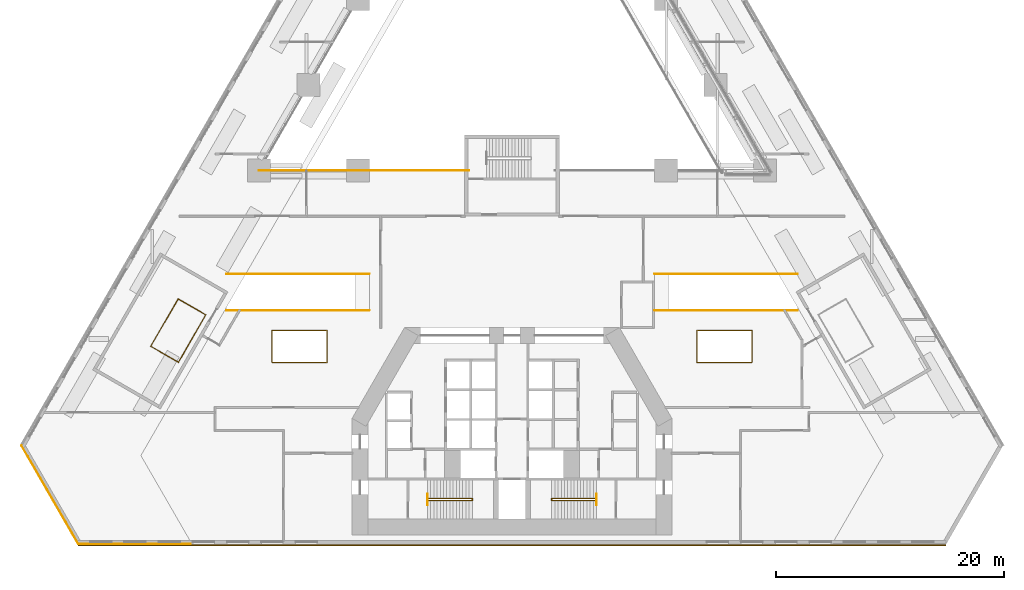
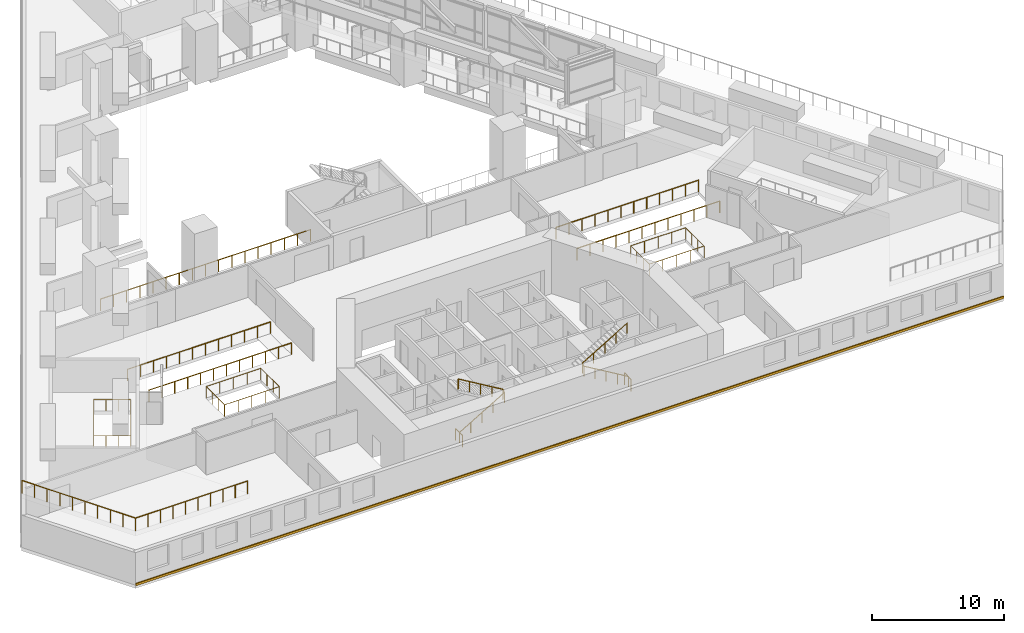
# One storey, part 16 of 19: 13 railings, 1 covering.
"""IFC4 building model written with IfcOpenShell, lengths in metres."""

from ifc_helpers import new_model, si_unit, direction, frame, origin, origin_2d, place, context, subcontext, project, spatial, polyline, circle, outline, extrude, material, type_object, element, save


model = new_model("IFC4")

# Units and contexts
model_context = context("Model", 3, precision=1e-05, world=origin(), true_north=direction((0.0, 1.0)))
body_context = subcontext(model_context, "Body", "Model", "MODEL_VIEW")
ifc_project = project(units=[si_unit("LENGTHUNIT", "METRE"), si_unit("AREAUNIT", "SQUARE_METRE"), si_unit("VOLUMEUNIT", "CUBIC_METRE"), si_unit("PLANEANGLEUNIT", "RADIAN"), si_unit("MASSUNIT", "GRAM", prefix="KILO")], contexts=[model_context])

# Site, building, storey
site_placement = place(None, origin())
site = spatial("IfcSite", under=ifc_project, at=site_placement, CompositionType="ELEMENT")
building_placement = place(site_placement, origin())
building = spatial("IfcBuilding", under=site, at=building_placement, Name="Fogline Exchange Tower", CompositionType="ELEMENT")
storey_placement = place(building_placement, frame((0.0, 0.0, 20.0)))
storey = spatial("IfcBuildingStorey", under=building, at=storey_placement, Name="L03", CompositionType="ELEMENT", Elevation=20.0)

# Railings
ifc_material_1 = material(Name="Stainless steel 304", Category="steel")
railing_type_1 = type_object("IfcRailingType", Name="G1", PredefinedType="GUARDRAIL", material=ifc_material_1)
railing_1_placement = place(storey_placement, frame((-28.144287109375, 0.050048828125, 5.0)))
element("IfcRailing", 1, at=railing_1_placement, inside=storey, type_object=railing_type_1, Name="Guard L04 terrace", PredefinedType="GUARDRAIL", context=body_context, shape_type="SweptSolid", body=[
    extrude(circle(Radius=0.02392578125, at=origin_2d()), frame((0.0, 0.0, 1.17578125), z_axis=(-1.0, 0.0, 0.0), x_axis=(0.0, -1.0, 0.0)), (0.0, 0.0, 1.0), 9.826904296875),
    extrude(circle(Radius=0.02392578125, at=origin_2d()), frame((-9.826904296875, 0.0, 1.17578125), z_axis=(-0.500000197173, 0.866025289947, 0.0), x_axis=(-0.866025289947, -0.500000197173, 0.0)), (0.0, 0.0, 1.0), 9.9423828125),
    extrude(circle(Radius=0.02099609375, at=origin_2d()), origin(), (0.0, 0.0, 1.0), 1.15185546875),
    extrude(circle(Radius=0.02099609375, at=origin_2d()), frame((-1.091796875, 0.0, 0.0)), (0.0, 0.0, 1.0), 1.15185546875),
    extrude(circle(Radius=0.02099609375, at=origin_2d()), frame((-2.183837890625, 0.0, 0.0)), (0.0, 0.0, 1.0), 1.15185546875),
    extrude(circle(Radius=0.02099609375, at=origin_2d()), frame((-3.275634765625, 0.0, 0.0)), (0.0, 0.0, 1.0), 1.15185546875),
    extrude(circle(Radius=0.02099609375, at=origin_2d()), frame((-4.367431640625, 0.0, 0.0)), (0.0, 0.0, 1.0), 1.15185546875),
    extrude(circle(Radius=0.02099609375, at=origin_2d()), frame((-5.45947265625, 0.0, 0.0)), (0.0, 0.0, 1.0), 1.15185546875),
    extrude(circle(Radius=0.02099609375, at=origin_2d()), frame((-6.55126953125, 0.0, 0.0)), (0.0, 0.0, 1.0), 1.15185546875),
    extrude(circle(Radius=0.02099609375, at=origin_2d()), frame((-7.64306640625, 0.0, 0.0)), (0.0, 0.0, 1.0), 1.15185546875),
    extrude(circle(Radius=0.02099609375, at=origin_2d()), frame((-8.735107421875, 0.0, 0.0)), (0.0, 0.0, 1.0), 1.15185546875),
    extrude(circle(Radius=0.02099609375, at=origin_2d()), frame((-9.826904296875, 0.0, 0.0)), (0.0, 0.0, 1.0), 1.15185546875),
    extrude(circle(Radius=0.02099609375, at=origin_2d()), frame((-10.379150390625, 0.956787109375, 0.0)), (0.0, 0.0, 1.0), 1.15185546875),
    extrude(circle(Radius=0.02099609375, at=origin_2d()), frame((-10.931640625, 1.913330078125, 0.0)), (0.0, 0.0, 1.0), 1.15185546875),
    extrude(circle(Radius=0.02099609375, at=origin_2d()), frame((-11.48388671875, 2.8701171875, 0.0)), (0.0, 0.0, 1.0), 1.15185546875),
    extrude(circle(Radius=0.02099609375, at=origin_2d()), frame((-12.036376953125, 3.826904296875, 0.0)), (0.0, 0.0, 1.0), 1.15185546875),
    extrude(circle(Radius=0.02099609375, at=origin_2d()), frame((-12.588623046875, 4.783447265625, 0.0)), (0.0, 0.0, 1.0), 1.15185546875),
    extrude(circle(Radius=0.02099609375, at=origin_2d()), frame((-13.14111328125, 5.740234375, 0.0)), (0.0, 0.0, 1.0), 1.15185546875),
    extrude(circle(Radius=0.02099609375, at=origin_2d()), frame((-13.693359375, 6.697021484375, 0.0)), (0.0, 0.0, 1.0), 1.15185546875),
    extrude(circle(Radius=0.02099609375, at=origin_2d()), frame((-14.245849609375, 7.653564453125, 0.0)), (0.0, 0.0, 1.0), 1.15185546875),
    extrude(circle(Radius=0.02099609375, at=origin_2d()), frame((-14.798095703125, 8.6103515625, 0.0)), (0.0, 0.0, 1.0), 1.15185546875),
])
ifc_material_2 = material(Name="Steel Q235B", Category="steel")
railing_type_2 = type_object("IfcRailingType", Name="PG1", PredefinedType="GUARDRAIL", material=ifc_material_2)
railing_2_placement = place(storey_placement, frame((-29.2392578125, 21.515380859375, 0.0)))
element("IfcRailing", 2, at=railing_2_placement, inside=storey, type_object=railing_type_2, Name="Stair well guard ST4", PredefinedType="GUARDRAIL", context=body_context, shape_type="SweptSolid", body=[
    extrude(circle(Radius=0.02392578125, at=origin_2d()), frame((0.0, 0.0, 1.076171875), z_axis=(0.866034573852, -0.49998411664, 0.0), x_axis=(0.49998411664, 0.866034573852, 0.0)), (0.0, 0.0, 1.0), 2.7998046875),
    extrude(circle(Radius=0.02392578125, at=origin_2d()), frame((2.4248046875, -1.39990234375, 1.076171875), z_axis=(-0.499980858223, -0.866036455013, 0.0), x_axis=(0.866036455013, -0.499980858223, 0.0)), (0.0, 0.0, 1.0), 4.798095703125),
    extrude(circle(Radius=0.02392578125, at=origin_2d()), frame((0.02587890625, -5.55517578125, 1.076171875), z_axis=(-0.866034573852, 0.49998411664, 0.0), x_axis=(-0.49998411664, -0.866034573852, 0.0)), (0.0, 0.0, 1.0), 2.7998046875),
    extrude(circle(Radius=0.02392578125, at=origin_2d()), frame((-2.39892578125, -4.1552734375, 1.076171875), z_axis=(0.50087177907, 0.865521496516, 0.0), x_axis=(-0.865521496516, 0.50087177907, 0.0)), (0.0, 0.0, 1.0), 4.7978515625),
    extrude(circle(Radius=0.02099609375, at=origin_2d()), origin(), (0.0, 0.0, 1.0), 1.052001953125),
    extrude(circle(Radius=0.02099609375, at=origin_2d()), frame((0.808349609375, -0.466552734375, 0.0)), (0.0, 0.0, 1.0), 1.052001953125),
    extrude(circle(Radius=0.02099609375, at=origin_2d()), frame((1.616455078125, -0.933349609375, 0.0)), (0.0, 0.0, 1.0), 1.052001953125),
    extrude(circle(Radius=0.02099609375, at=origin_2d()), frame((2.4248046875, -1.39990234375, 0.0)), (0.0, 0.0, 1.0), 1.052001953125),
    extrude(circle(Radius=0.02099609375, at=origin_2d()), frame((1.8251953125, -2.438720703125, 0.0)), (0.0, 0.0, 1.0), 1.052001953125),
    extrude(circle(Radius=0.02099609375, at=origin_2d()), frame((1.225341796875, -3.4775390625, 0.0)), (0.0, 0.0, 1.0), 1.052001953125),
    extrude(circle(Radius=0.02099609375, at=origin_2d()), frame((0.62548828125, -4.516357421875, 0.0)), (0.0, 0.0, 1.0), 1.052001953125),
    extrude(circle(Radius=0.02099609375, at=origin_2d()), frame((0.02587890625, -5.55517578125, 0.0)), (0.0, 0.0, 1.0), 1.052001953125),
    extrude(circle(Radius=0.02099609375, at=origin_2d()), frame((-0.782470703125, -5.088623046875, 0.0)), (0.0, 0.0, 1.0), 1.052001953125),
    extrude(circle(Radius=0.02099609375, at=origin_2d()), frame((-1.590576171875, -4.621826171875, 0.0)), (0.0, 0.0, 1.0), 1.052001953125),
    extrude(circle(Radius=0.02099609375, at=origin_2d()), frame((-2.39892578125, -4.1552734375, 0.0)), (0.0, 0.0, 1.0), 1.052001953125),
    extrude(circle(Radius=0.02099609375, at=origin_2d()), frame((-1.798095703125, -3.1171875, 0.0)), (0.0, 0.0, 1.0), 1.052001953125),
    extrude(circle(Radius=0.02099609375, at=origin_2d()), frame((-1.197265625, -2.0791015625, 0.0)), (0.0, 0.0, 1.0), 1.052001953125),
    extrude(circle(Radius=0.02099609375, at=origin_2d()), frame((-0.5966796875, -1.040771484375, 0.0)), (0.0, 0.0, 1.0), 1.052001953125),
    extrude(circle(Radius=0.02099609375, at=origin_2d()), frame((0.004150390625, -0.002685546875, 0.0)), (0.0, 0.0, 1.0), 1.052001953125),
])
railing_3_placement = place(storey_placement, frame((-16.199951171875, 18.75, 0.0)))
element("IfcRailing", 3, at=railing_3_placement, inside=storey, type_object=railing_type_2, Name="Stair well guard PS1", PredefinedType="GUARDRAIL", context=body_context, shape_type="SweptSolid", body=[
    extrude(circle(Radius=0.02392578125, at=origin_2d()), frame((0.0, 0.0, 1.076171875), z_axis=(0.0, -1.0, 0.0), x_axis=(1.0, 0.0, 0.0)), (0.0, 0.0, 1.0), 2.800048828125),
    extrude(circle(Radius=0.02392578125, at=origin_2d()), frame((0.0, -2.800048828125, 1.076171875), z_axis=(-1.0, 0.0, 0.0), x_axis=(0.0, -1.0, 0.0)), (0.0, 0.0, 1.0), 4.798095703125),
    extrude(circle(Radius=0.02392578125, at=origin_2d()), frame((-4.798095703125, -2.800048828125, 1.076171875), z_axis=(0.0, 1.0, 0.0), x_axis=(-1.0, 0.0, 0.0)), (0.0, 0.0, 1.0), 2.800048828125),
    extrude(circle(Radius=0.02392578125, at=origin_2d()), frame((-4.798095703125, 0.0, 1.076171875), z_axis=(0.999999482188, -0.001017655811, 0.0), x_axis=(0.001017655811, 0.999999482188, 0.0)), (0.0, 0.0, 1.0), 4.798095703125),
    extrude(circle(Radius=0.02099609375, at=origin_2d()), origin(), (0.0, 0.0, 1.0), 1.052001953125),
    extrude(circle(Radius=0.02099609375, at=origin_2d()), frame((0.0, -0.933349609375, 0.0)), (0.0, 0.0, 1.0), 1.052001953125),
    extrude(circle(Radius=0.02099609375, at=origin_2d()), frame((0.0, -1.86669921875, 0.0)), (0.0, 0.0, 1.0), 1.052001953125),
    extrude(circle(Radius=0.02099609375, at=origin_2d()), frame((0.0, -2.800048828125, 0.0)), (0.0, 0.0, 1.0), 1.052001953125),
    extrude(circle(Radius=0.02099609375, at=origin_2d()), frame((-1.199462890625, -2.800048828125, 0.0)), (0.0, 0.0, 1.0), 1.052001953125),
    extrude(circle(Radius=0.02099609375, at=origin_2d()), frame((-2.39892578125, -2.800048828125, 0.0)), (0.0, 0.0, 1.0), 1.052001953125),
    extrude(circle(Radius=0.02099609375, at=origin_2d()), frame((-3.5986328125, -2.800048828125, 0.0)), (0.0, 0.0, 1.0), 1.052001953125),
    extrude(circle(Radius=0.02099609375, at=origin_2d()), frame((-4.798095703125, -2.800048828125, 0.0)), (0.0, 0.0, 1.0), 1.052001953125),
    extrude(circle(Radius=0.02099609375, at=origin_2d()), frame((-4.798095703125, -1.86669921875, 0.0)), (0.0, 0.0, 1.0), 1.052001953125),
    extrude(circle(Radius=0.02099609375, at=origin_2d()), frame((-4.798095703125, -0.933349609375, 0.0)), (0.0, 0.0, 1.0), 1.052001953125),
    extrude(circle(Radius=0.02099609375, at=origin_2d()), frame((-4.798095703125, 0.0, 0.0)), (0.0, 0.0, 1.0), 1.052001953125),
    extrude(circle(Radius=0.02099609375, at=origin_2d()), frame((-3.5986328125, -0.001220703125, 0.0)), (0.0, 0.0, 1.0), 1.052001953125),
    extrude(circle(Radius=0.02099609375, at=origin_2d()), frame((-2.39892578125, -0.00244140625, 0.0)), (0.0, 0.0, 1.0), 1.052001953125),
    extrude(circle(Radius=0.02099609375, at=origin_2d()), frame((-1.199462890625, -0.003662109375, 0.0)), (0.0, 0.0, 1.0), 1.052001953125),
    extrude(circle(Radius=0.02099609375, at=origin_2d()), frame((0.0, -0.0048828125, 0.0)), (0.0, 0.0, 1.0), 1.052001953125),
])
railing_4_placement = place(storey_placement, frame((16.199951171875, 15.949951171875, 0.0)))
element("IfcRailing", 4, at=railing_4_placement, inside=storey, type_object=railing_type_2, Name="Stair well guard PS2", PredefinedType="GUARDRAIL", context=body_context, shape_type="SweptSolid", body=[
    extrude(circle(Radius=0.02392578125, at=origin_2d()), frame((0.0, 0.0, 1.076171875), z_axis=(0.0, 1.0, 0.0), x_axis=(-1.0, 0.0, 0.0)), (0.0, 0.0, 1.0), 2.800048828125),
    extrude(circle(Radius=0.02392578125, at=origin_2d()), frame((0.0, 2.800048828125, 1.076171875), z_axis=(1.0, 0.0, 0.0), x_axis=(0.0, 1.0, 0.0)), (0.0, 0.0, 1.0), 4.798095703125),
    extrude(circle(Radius=0.02392578125, at=origin_2d()), frame((4.798095703125, 2.800048828125, 1.076171875), z_axis=(0.0, -1.0, 0.0), x_axis=(1.0, 0.0, 0.0)), (0.0, 0.0, 1.0), 2.800048828125),
    extrude(circle(Radius=0.02392578125, at=origin_2d()), frame((4.798095703125, 0.0, 1.076171875), z_axis=(-0.999999429113, 0.001068538544, 0.0), x_axis=(-0.001068538544, -0.999999429113, 0.0)), (0.0, 0.0, 1.0), 4.798095703125),
    extrude(circle(Radius=0.02099609375, at=origin_2d()), origin(), (0.0, 0.0, 1.0), 1.052001953125),
    extrude(circle(Radius=0.02099609375, at=origin_2d()), frame((0.0, 0.933349609375, 0.0)), (0.0, 0.0, 1.0), 1.052001953125),
    extrude(circle(Radius=0.02099609375, at=origin_2d()), frame((0.0, 1.86669921875, 0.0)), (0.0, 0.0, 1.0), 1.052001953125),
    extrude(circle(Radius=0.02099609375, at=origin_2d()), frame((0.0, 2.800048828125, 0.0)), (0.0, 0.0, 1.0), 1.052001953125),
    extrude(circle(Radius=0.02099609375, at=origin_2d()), frame((1.199462890625, 2.800048828125, 0.0)), (0.0, 0.0, 1.0), 1.052001953125),
    extrude(circle(Radius=0.02099609375, at=origin_2d()), frame((2.39892578125, 2.800048828125, 0.0)), (0.0, 0.0, 1.0), 1.052001953125),
    extrude(circle(Radius=0.02099609375, at=origin_2d()), frame((3.5986328125, 2.800048828125, 0.0)), (0.0, 0.0, 1.0), 1.052001953125),
    extrude(circle(Radius=0.02099609375, at=origin_2d()), frame((4.798095703125, 2.800048828125, 0.0)), (0.0, 0.0, 1.0), 1.052001953125),
    extrude(circle(Radius=0.02099609375, at=origin_2d()), frame((4.798095703125, 1.86669921875, 0.0)), (0.0, 0.0, 1.0), 1.052001953125),
    extrude(circle(Radius=0.02099609375, at=origin_2d()), frame((4.798095703125, 0.933349609375, 0.0)), (0.0, 0.0, 1.0), 1.052001953125),
    extrude(circle(Radius=0.02099609375, at=origin_2d()), frame((4.798095703125, 0.0, 0.0)), (0.0, 0.0, 1.0), 1.052001953125),
    extrude(circle(Radius=0.02099609375, at=origin_2d()), frame((3.5986328125, 0.001220703125, 0.0)), (0.0, 0.0, 1.0), 1.052001953125),
    extrude(circle(Radius=0.02099609375, at=origin_2d()), frame((2.39892578125, 0.00244140625, 0.0)), (0.0, 0.0, 1.0), 1.052001953125),
    extrude(circle(Radius=0.02099609375, at=origin_2d()), frame((1.199462890625, 0.00390625, 0.0)), (0.0, 0.0, 1.0), 1.052001953125),
    extrude(circle(Radius=0.02099609375, at=origin_2d()), frame((0.0, 0.005126953125, 0.0)), (0.0, 0.0, 1.0), 1.052001953125),
])
for number, where, name in (
    (5, (-25.0, 20.5, 0.0), "Guard"),
    (6, (-25.0, 23.699951171875, 0.0), "Guard"),
    (7, (12.5, 20.5, 0.0), "Guard"),
    (8, (12.5, 23.699951171875, 0.0), "Guard"),
):
    element("IfcRailing", number, at=place(storey_placement, frame(where)), inside=storey, type_object=railing_type_2, Name=name, PredefinedType="GUARDRAIL", context=body_context, shape_type="SweptSolid", body=[
        extrude(circle(Radius=0.02392578125, at=origin_2d()), frame((0.0, 0.0, 1.076171875), z_axis=(1.0, 0.0, 0.0), x_axis=(0.0, 1.0, 0.0)), (0.0, 0.0, 1.0), 12.5),
        extrude(circle(Radius=0.02099609375, at=origin_2d()), origin(), (0.0, 0.0, 1.0), 1.052001953125),
        extrude(circle(Radius=0.02099609375, at=origin_2d()), frame((1.136474609375, 0.0, 0.0)), (0.0, 0.0, 1.0), 1.052001953125),
        extrude(circle(Radius=0.02099609375, at=origin_2d()), frame((2.272705078125, 0.0, 0.0)), (0.0, 0.0, 1.0), 1.052001953125),
        extrude(circle(Radius=0.02099609375, at=origin_2d()), frame((3.4091796875, 0.0, 0.0)), (0.0, 0.0, 1.0), 1.052001953125),
        extrude(circle(Radius=0.02099609375, at=origin_2d()), frame((4.54541015625, 0.0, 0.0)), (0.0, 0.0, 1.0), 1.052001953125),
        extrude(circle(Radius=0.02099609375, at=origin_2d()), frame((5.681884765625, 0.0, 0.0)), (0.0, 0.0, 1.0), 1.052001953125),
        extrude(circle(Radius=0.02099609375, at=origin_2d()), frame((6.818115234375, 0.0, 0.0)), (0.0, 0.0, 1.0), 1.052001953125),
        extrude(circle(Radius=0.02099609375, at=origin_2d()), frame((7.95458984375, 0.0, 0.0)), (0.0, 0.0, 1.0), 1.052001953125),
        extrude(circle(Radius=0.02099609375, at=origin_2d()), frame((9.0908203125, 0.0, 0.0)), (0.0, 0.0, 1.0), 1.052001953125),
        extrude(circle(Radius=0.02099609375, at=origin_2d()), frame((10.227294921875, 0.0, 0.0)), (0.0, 0.0, 1.0), 1.052001953125),
        extrude(circle(Radius=0.02099609375, at=origin_2d()), frame((11.363525390625, 0.0, 0.0)), (0.0, 0.0, 1.0), 1.052001953125),
        extrude(circle(Radius=0.02099609375, at=origin_2d()), frame((12.5, 0.0, 0.0)), (0.0, 0.0, 1.0), 1.052001953125),
    ])
railing_5_placement = place(storey_placement, frame((-22.15771484375, 32.760009765625, 0.0)))
element("IfcRailing", 9, at=railing_5_placement, inside=storey, type_object=railing_type_2, Name="Gallery guard", PredefinedType="GUARDRAIL", context=body_context, shape_type="SweptSolid", body=[
    extrude(circle(Radius=0.02392578125, at=origin_2d()), frame((0.0, 0.0, 1.076171875), z_axis=(1.0, 0.0, 0.0), x_axis=(0.0, 1.0, 0.0)), (0.0, 0.0, 1.0), 18.40771484375),
    extrude(circle(Radius=0.02099609375, at=origin_2d()), origin(), (0.0, 0.0, 1.0), 1.052001953125),
    extrude(circle(Radius=0.02099609375, at=origin_2d()), frame((1.150390625, 0.0, 0.0)), (0.0, 0.0, 1.0), 1.052001953125),
    extrude(circle(Radius=0.02099609375, at=origin_2d()), frame((2.301025390625, 0.0, 0.0)), (0.0, 0.0, 1.0), 1.052001953125),
    extrude(circle(Radius=0.02099609375, at=origin_2d()), frame((3.451416015625, 0.0, 0.0)), (0.0, 0.0, 1.0), 1.052001953125),
    extrude(circle(Radius=0.02099609375, at=origin_2d()), frame((4.60205078125, 0.0, 0.0)), (0.0, 0.0, 1.0), 1.052001953125),
    extrude(circle(Radius=0.02099609375, at=origin_2d()), frame((5.75244140625, 0.0, 0.0)), (0.0, 0.0, 1.0), 1.052001953125),
    extrude(circle(Radius=0.02099609375, at=origin_2d()), frame((6.90283203125, 0.0, 0.0)), (0.0, 0.0, 1.0), 1.052001953125),
    extrude(circle(Radius=0.02099609375, at=origin_2d()), frame((8.053466796875, 0.0, 0.0)), (0.0, 0.0, 1.0), 1.052001953125),
    extrude(circle(Radius=0.02099609375, at=origin_2d()), frame((9.203857421875, 0.0, 0.0)), (0.0, 0.0, 1.0), 1.052001953125),
    extrude(circle(Radius=0.02099609375, at=origin_2d()), frame((10.354248046875, 0.0, 0.0)), (0.0, 0.0, 1.0), 1.052001953125),
    extrude(circle(Radius=0.02099609375, at=origin_2d()), frame((11.5048828125, 0.0, 0.0)), (0.0, 0.0, 1.0), 1.052001953125),
    extrude(circle(Radius=0.02099609375, at=origin_2d()), frame((12.6552734375, 0.0, 0.0)), (0.0, 0.0, 1.0), 1.052001953125),
    extrude(circle(Radius=0.02099609375, at=origin_2d()), frame((13.8056640625, 0.0, 0.0)), (0.0, 0.0, 1.0), 1.052001953125),
    extrude(circle(Radius=0.02099609375, at=origin_2d()), frame((14.956298828125, 0.0, 0.0)), (0.0, 0.0, 1.0), 1.052001953125),
    extrude(circle(Radius=0.02099609375, at=origin_2d()), frame((16.106689453125, 0.0, 0.0)), (0.0, 0.0, 1.0), 1.052001953125),
    extrude(circle(Radius=0.02099609375, at=origin_2d()), frame((17.25732421875, 0.0, 0.0)), (0.0, 0.0, 1.0), 1.052001953125),
    extrude(circle(Radius=0.02099609375, at=origin_2d()), frame((18.40771484375, 0.0, 0.0)), (0.0, 0.0, 1.0), 1.052001953125),
])
railing_type_3 = type_object("IfcRailingType", Name="RL-GD", PredefinedType="GUARDRAIL", material=ifc_material_2)
for number, where, name in (
    (10, (-7.389892578125, 3.449951171875, 0.0), "Guard at well"),
    (11, (7.389892578125, 3.449951171875, 0.0), "Guard at well"),
):
    element("IfcRailing", number, at=place(storey_placement, frame(where)), inside=storey, type_object=railing_type_3, Name=name, PredefinedType="GUARDRAIL", context=body_context, shape_type="SweptSolid", body=[
        extrude(circle(Radius=0.02392578125, at=origin_2d()), frame((0.0, 0.0, 1.076171875), z_axis=(0.0, 1.0, 0.0), x_axis=(-1.0, 0.0, 0.0)), (0.0, 0.0, 1.0), 1.0),
        extrude(circle(Radius=0.02099609375, at=origin_2d()), origin(), (0.0, 0.0, 1.0), 1.052001953125),
        extrude(circle(Radius=0.02099609375, at=origin_2d()), frame((0.0, 1.0, 0.0)), (0.0, 0.0, 1.0), 1.052001953125),
    ])
railing_type_4 = type_object("IfcRailingType", Name="RL-HR", PredefinedType="HANDRAIL", material=ifc_material_2)
railing_6_placement = place(storey_placement, frame((-7.39990234375, 3.85009765625, 0.166748046875)))
element("IfcRailing", 12, at=railing_6_placement, inside=storey, type_object=railing_type_4, Name="Handrail ST1", PredefinedType="HANDRAIL", context=body_context, shape_type="SweptSolid", body=[
    extrude(circle(Radius=0.02392578125, at=origin_2d()), frame((0.0, 0.0, 0.92578125), z_axis=(0.859296244711, 0.0, 0.511478214419), x_axis=(0.0, 1.0, 0.0)), (0.0, 0.0, 1.0), 4.561767578125),
    extrude(circle(Radius=0.02392578125, at=origin_2d()), frame((3.919921875, 0.0, 3.25927734375), z_axis=(0.0, 0.767990643491, 0.640461061666), x_axis=(-1.0, 0.0, 0.0)), (0.0, 0.0, 1.0), 0.26025390625),
    extrude(circle(Radius=0.02392578125, at=origin_2d()), frame((3.919921875, 0.199951171875, 3.42578125), z_axis=(-0.859296244711, 0.0, 0.511478214419), x_axis=(0.0, -1.0, 0.0)), (0.0, 0.0, 1.0), 4.561767578125),
    extrude(circle(Radius=0.02099609375, at=origin_2d()), origin(), (0.0, 0.0, 1.0), 0.90185546875),
    extrude(circle(Radius=0.02099609375, at=origin_2d()), frame((0.97998046875, 0.0, 0.583251953125)), (0.0, 0.0, 1.0), 0.90185546875),
    extrude(circle(Radius=0.02099609375, at=origin_2d()), frame((1.9599609375, 0.0, 1.16650390625)), (0.0, 0.0, 1.0), 0.90185546875),
    extrude(circle(Radius=0.02099609375, at=origin_2d()), frame((2.93994140625, 0.0, 1.75)), (0.0, 0.0, 1.0), 0.90185546875),
    extrude(circle(Radius=0.02099609375, at=origin_2d()), frame((3.919921875, 0.0, 2.333251953125)), (0.0, 0.0, 1.0), 0.90185546875),
    extrude(circle(Radius=0.02099609375, at=origin_2d()), frame((3.919921875, 0.199951171875, 2.5)), (0.0, 0.0, 1.0), 0.90185546875),
    extrude(circle(Radius=0.02099609375, at=origin_2d()), frame((2.93994140625, 0.199951171875, 3.083251953125)), (0.0, 0.0, 1.0), 0.90185546875),
    extrude(circle(Radius=0.02099609375, at=origin_2d()), frame((1.9599609375, 0.199951171875, 3.66650390625)), (0.0, 0.0, 1.0), 0.90185546875),
    extrude(circle(Radius=0.02099609375, at=origin_2d()), frame((0.97998046875, 0.199951171875, 4.25)), (0.0, 0.0, 1.0), 0.90185546875),
    extrude(circle(Radius=0.02099609375, at=origin_2d()), frame((0.0, 0.199951171875, 4.833251953125)), (0.0, 0.0, 1.0), 0.90185546875),
])
railing_7_placement = place(storey_placement, frame((7.39990234375, 3.85009765625, 0.166748046875)))
element("IfcRailing", 13, at=railing_7_placement, inside=storey, type_object=railing_type_4, Name="Handrail ST2", PredefinedType="HANDRAIL", context=body_context, shape_type="SweptSolid", body=[
    extrude(circle(Radius=0.02392578125, at=origin_2d()), frame((0.0, 0.0, 0.92578125), z_axis=(-0.859296244711, 0.0, 0.511478214419), x_axis=(0.0, -1.0, 0.0)), (0.0, 0.0, 1.0), 4.561767578125),
    extrude(circle(Radius=0.02392578125, at=origin_2d()), frame((-3.919921875, 0.0, 3.25927734375), z_axis=(0.0, 0.767990643491, 0.640461061666), x_axis=(-1.0, 0.0, 0.0)), (0.0, 0.0, 1.0), 0.26025390625),
    extrude(circle(Radius=0.02392578125, at=origin_2d()), frame((-3.919921875, 0.199951171875, 3.42578125), z_axis=(0.859296244711, 0.0, 0.511478214419), x_axis=(0.0, 1.0, 0.0)), (0.0, 0.0, 1.0), 4.561767578125),
    extrude(circle(Radius=0.02099609375, at=origin_2d()), origin(), (0.0, 0.0, 1.0), 0.90185546875),
    extrude(circle(Radius=0.02099609375, at=origin_2d()), frame((-0.97998046875, 0.0, 0.583251953125)), (0.0, 0.0, 1.0), 0.90185546875),
    extrude(circle(Radius=0.02099609375, at=origin_2d()), frame((-1.9599609375, 0.0, 1.16650390625)), (0.0, 0.0, 1.0), 0.90185546875),
    extrude(circle(Radius=0.02099609375, at=origin_2d()), frame((-2.93994140625, 0.0, 1.75)), (0.0, 0.0, 1.0), 0.90185546875),
    extrude(circle(Radius=0.02099609375, at=origin_2d()), frame((-3.919921875, 0.0, 2.333251953125)), (0.0, 0.0, 1.0), 0.90185546875),
    extrude(circle(Radius=0.02099609375, at=origin_2d()), frame((-3.919921875, 0.199951171875, 2.5)), (0.0, 0.0, 1.0), 0.90185546875),
    extrude(circle(Radius=0.02099609375, at=origin_2d()), frame((-2.93994140625, 0.199951171875, 3.083251953125)), (0.0, 0.0, 1.0), 0.90185546875),
    extrude(circle(Radius=0.02099609375, at=origin_2d()), frame((-1.9599609375, 0.199951171875, 3.66650390625)), (0.0, 0.0, 1.0), 0.90185546875),
    extrude(circle(Radius=0.02099609375, at=origin_2d()), frame((-0.97998046875, 0.199951171875, 4.25)), (0.0, 0.0, 1.0), 0.90185546875),
    extrude(circle(Radius=0.02099609375, at=origin_2d()), frame((0.0, 0.199951171875, 4.833251953125)), (0.0, 0.0, 1.0), 0.90185546875),
])

# Covering
ifc_material_3 = material(Name="Brick masonry", Category="masonry")
covering_type = type_object("IfcCoveringType", Name="SB1", PredefinedType="CLADDING", material=ifc_material_3)
covering_placement = place(storey_placement, origin())
element("IfcCovering", 14, at=covering_placement, inside=storey, type_object=covering_type, Name="Stringcourse band L03 S", PredefinedType="CLADDING", context=body_context, shape_type="SweptSolid", body=[
    extrude(outline(polyline([(-38.0, 0.0), (-38.0, -0.10009765625), (38.0, -0.10009765625), (38.0, 0.0), (-38.0, 0.0)])), origin(), (0.0, 0.0, 1.0), 0.199951171875),
])

save(model, "model.ifc")
